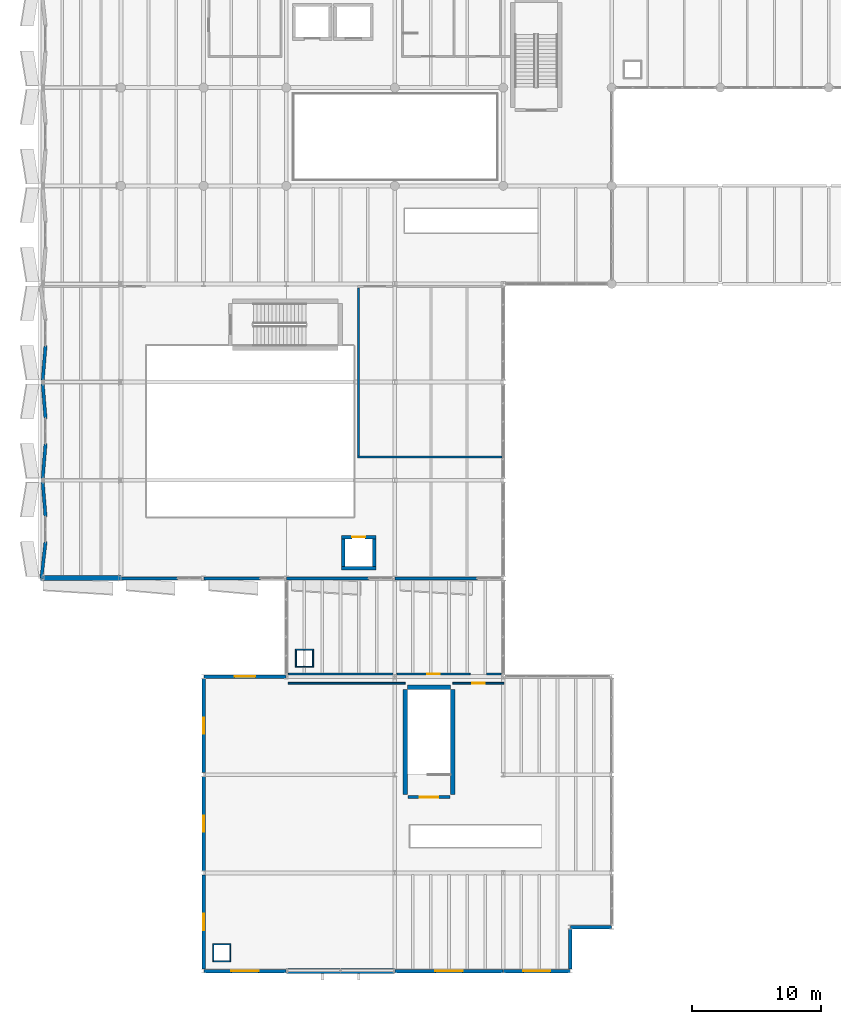
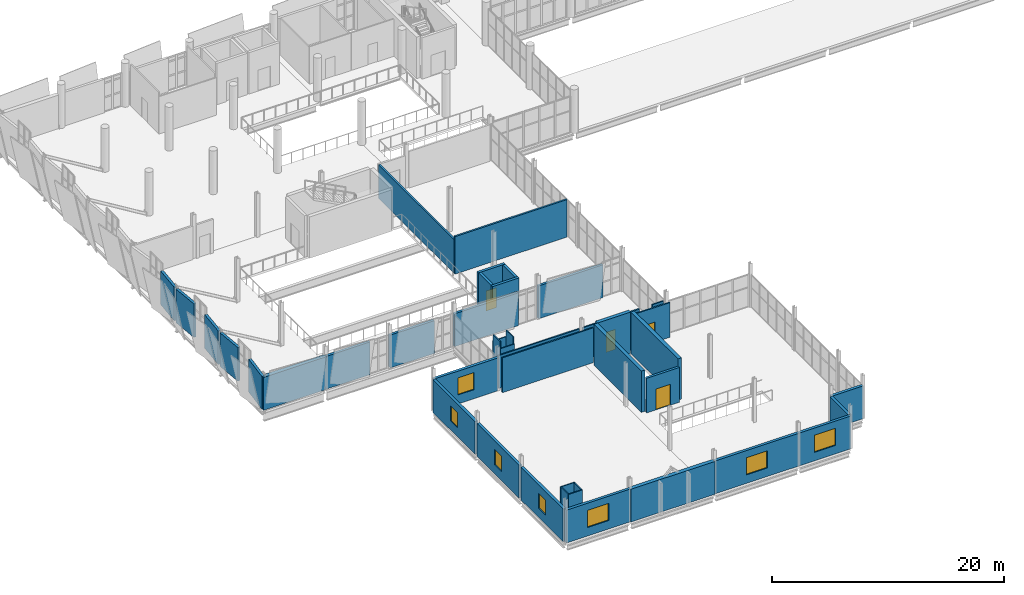
# One storey, part 118 of 136: 43 walls, 7 windows, 4 doors, 11 openings.
"""IFC4 building model written with IfcOpenShell, lengths in metres."""

from ifc_helpers import new_model, si_unit, direction, frame, frame_2d, origin, place, context, subcontext, project, spatial, rectangle, extrude, material, layer, layer_set, type_object, element, fill, save


model = new_model("IFC4")

# Units and contexts
model_context = context("Model", 3, precision=1e-05, world=origin(), true_north=direction((0.0, 1.0)))
body_context = subcontext(model_context, "Body", "Model", "MODEL_VIEW")
ifc_project = project(units=[si_unit("LENGTHUNIT", "METRE"), si_unit("AREAUNIT", "SQUARE_METRE"), si_unit("VOLUMEUNIT", "CUBIC_METRE"), si_unit("PLANEANGLEUNIT", "RADIAN"), si_unit("MASSUNIT", "GRAM", prefix="KILO")], contexts=[model_context])

# Site, building, storey
site_placement = place(None, origin())
site = spatial("IfcSite", under=ifc_project, at=site_placement, CompositionType="ELEMENT")
building_placement = place(site_placement, origin())
building = spatial("IfcBuilding", under=site, at=building_placement, Name="Shengluoqiao Park Theatre", CompositionType="ELEMENT")
storey_placement = place(building_placement, frame((0.0, 0.0, 10.0)))
storey = spatial("IfcBuildingStorey", under=building, at=storey_placement, Name="L02", CompositionType="ELEMENT", Elevation=10.0)

# Wall, opening, window
ifc_material_1 = material(Name="Concrete C40", Category="concrete")
ifc_layer_1 = layer(ifc_material_1, 0.27001953125, Name="Concrete C40")
ifc_layer_set_1 = layer_set([ifc_layer_1], Name="Concrete C40")
wall_type_1 = type_object("IfcWallType", Name="ENV-WL-CONC270", PredefinedType="STANDARD", material=ifc_layer_set_1)
wall_1_placement = place(storey_placement, frame((12.81005859375, 0.0, 0.0), z_axis=(0.0, 0.0, 1.0), x_axis=(1.0, 0.0, 0.0)))
wall_1 = element("IfcWall", 1, at=wall_1_placement, inside=storey, type_object=wall_type_1, Name="L02 Exterior Wall 0151", PredefinedType="STANDARD", context=body_context, shape_type="SweptSolid", body=[
    extrude(rectangle(XDim=6.3798828125, YDim=0.27001953125, at=frame_2d((3.18994140625, 0.0))), origin(), (0.0, 0.0, 1.0), 3.4580078125),
])
opening_1_placement = place(wall_1_placement, frame((2.139892578125, 0.0, 0.89990234375)))
opening_1 = element("IfcOpeningElement", 2, at=opening_1_placement, cuts=wall_1, Name="Opening W-05", PredefinedType="OPENING", context=body_context, shape_type="SweptSolid", body=[
    extrude(rectangle(XDim=2.10009765625, YDim=1.800048828125, at=frame_2d((1.050048828125, 0.89990234375))), frame((0.0, 0.14501953125, 0.0), z_axis=(0.0, -1.0, 0.0), x_axis=(1.0, 0.0, 0.0)), (0.0, 0.0, 1.0), 0.2900390625),
])
ifc_material_2 = material(Name="Insulated glass", Category="glass")
window_type_1 = type_object("IfcWindowType", Name="ENV-WIN-W05", PartitioningType="DOUBLE_PANEL_VERTICAL", PredefinedType="WINDOW", material=ifc_material_2)
window_1_placement = place(opening_1_placement, origin())
window_1 = element("IfcWindow", 3, at=window_1_placement, inside=storey, type_object=window_type_1, Name="L02 Acoustic Window 0011", OverallHeight=1.800048828125, OverallWidth=2.10009765625, PartitioningType="DOUBLE_PANEL_VERTICAL", PredefinedType="WINDOW", context=body_context, shape_type="SweptSolid", body=[
    extrude(rectangle(XDim=2.10009765625, YDim=1.800048828125, at=frame_2d((1.050048828125, 0.89990234375))), frame((0.0, 0.030029296875, 0.0), z_axis=(0.0, -1.0, 0.0), x_axis=(1.0, 0.0, 0.0)), (0.0, 0.0, 1.0), 0.06005859375),
])
fill(opening_1, window_1)

wall_2_placement = place(storey_placement, frame((27.610107421875, 0.0, 0.0), z_axis=(0.0, 0.0, 1.0), x_axis=(1.0, 0.0, 0.0)))
wall_2 = element("IfcWall", 4, at=wall_2_placement, inside=storey, type_object=wall_type_1, Name="L02 Exterior Wall 0153", PredefinedType="STANDARD", context=body_context, shape_type="SweptSolid", body=[
    extrude(rectangle(XDim=8.3798828125, YDim=0.27001953125, at=frame_2d((4.18994140625, 0.0))), origin(), (0.0, 0.0, 1.0), 3.4580078125),
])
opening_2_placement = place(wall_2_placement, frame((3.139892578125, 0.0, 0.89990234375)))
opening_2 = element("IfcOpeningElement", 5, at=opening_2_placement, cuts=wall_2, Name="Opening W-05", PredefinedType="OPENING", context=body_context, shape_type="SweptSolid", body=[
    extrude(rectangle(XDim=2.10009765625, YDim=1.800048828125, at=frame_2d((1.050048828125, 0.89990234375))), frame((0.0, 0.14501953125, 0.0), z_axis=(0.0, -1.0, 0.0), x_axis=(1.0, 0.0, 0.0)), (0.0, 0.0, 1.0), 0.2900390625),
])
window_2_placement = place(opening_2_placement, origin())
window_2 = element("IfcWindow", 6, at=window_2_placement, inside=storey, type_object=window_type_1, Name="L02 Acoustic Window 0012", OverallHeight=1.800048828125, OverallWidth=2.10009765625, PartitioningType="DOUBLE_PANEL_VERTICAL", PredefinedType="WINDOW", context=body_context, shape_type="SweptSolid", body=[
    extrude(rectangle(XDim=2.10009765625, YDim=1.800048828125, at=frame_2d((1.050048828125, 0.89990234375))), frame((0.0, 0.030029296875, 0.0), z_axis=(0.0, -1.0, 0.0), x_axis=(1.0, 0.0, 0.0)), (0.0, 0.0, 1.0), 0.06005859375),
])
fill(opening_2, window_2)

wall_3_placement = place(storey_placement, frame((36.010009765625, 0.0, 0.0), z_axis=(0.0, 0.0, 1.0), x_axis=(1.0, 0.0, 0.0)))
wall_3 = element("IfcWall", 7, at=wall_3_placement, inside=storey, type_object=wall_type_1, Name="L02 Exterior Wall 0154", PredefinedType="STANDARD", context=body_context, shape_type="SweptSolid", body=[
    extrude(rectangle(XDim=5.179931640625, YDim=0.27001953125, at=frame_2d((2.58984375, 0.0))), origin(), (0.0, 0.0, 1.0), 3.4580078125),
])
opening_3_placement = place(wall_3_placement, frame((1.5400390625, 0.0, 0.89990234375)))
opening_3 = element("IfcOpeningElement", 8, at=opening_3_placement, cuts=wall_3, Name="Opening W-05", PredefinedType="OPENING", context=body_context, shape_type="SweptSolid", body=[
    extrude(rectangle(XDim=2.10009765625, YDim=1.800048828125, at=frame_2d((1.050048828125, 0.89990234375))), frame((0.0, 0.14501953125, 0.0), z_axis=(0.0, -1.0, 0.0), x_axis=(1.0, 0.0, 0.0)), (0.0, 0.0, 1.0), 0.2900390625),
])
window_3_placement = place(opening_3_placement, origin())
window_3 = element("IfcWindow", 9, at=window_3_placement, inside=storey, type_object=window_type_1, Name="L02 Acoustic Window 0013", OverallHeight=1.800048828125, OverallWidth=2.10009765625, PartitioningType="DOUBLE_PANEL_VERTICAL", PredefinedType="WINDOW", context=body_context, shape_type="SweptSolid", body=[
    extrude(rectangle(XDim=2.10009765625, YDim=1.800048828125, at=frame_2d((1.050048828125, 0.89990234375))), frame((0.0, 0.030029296875, 0.0), z_axis=(0.0, -1.0, 0.0), x_axis=(1.0, 0.0, 0.0)), (0.0, 0.0, 1.0), 0.06005859375),
])
fill(opening_3, window_3)

wall_4_placement = place(storey_placement, frame((12.800048828125, 0.154052734375, 0.0), z_axis=(0.0, 0.0, 1.0), x_axis=(0.0, 1.0, 0.0)))
wall_4 = element("IfcWall", 10, at=wall_4_placement, inside=storey, type_object=wall_type_1, Name="L02 Exterior Wall 0155", PredefinedType="STANDARD", context=body_context, shape_type="SweptSolid", body=[
    extrude(rectangle(XDim=7.2919921875, YDim=0.27001953125, at=frame_2d((3.64599609375, 0.0))), origin(), (0.0, 0.0, 1.0), 3.4580078125),
])
opening_4_placement = place(wall_4_placement, frame((3.02099609375, 0.0, 0.949951171875)))
opening_4 = element("IfcOpeningElement", 11, at=opening_4_placement, cuts=wall_4, Name="Opening W-07", PredefinedType="OPENING", context=body_context, shape_type="SweptSolid", body=[
    extrude(rectangle(XDim=1.25, YDim=1.60009765625, at=frame_2d((0.625, 0.800048828125))), frame((0.0, 0.14501953125, 0.0), z_axis=(0.0, -1.0, 0.0), x_axis=(1.0, 0.0, 0.0)), (0.0, 0.0, 1.0), 0.2900390625),
])
window_type_2 = type_object("IfcWindowType", Name="ENV-WIN-W07", PartitioningType="SINGLE_PANEL", PredefinedType="WINDOW", material=ifc_material_2)
window_4_placement = place(opening_4_placement, origin())
window_4 = element("IfcWindow", 12, at=window_4_placement, inside=storey, type_object=window_type_2, Name="L02 Acoustic Window 0014", OverallHeight=1.60009765625, OverallWidth=1.25, PartitioningType="SINGLE_PANEL", PredefinedType="WINDOW", context=body_context, shape_type="SweptSolid", body=[
    extrude(rectangle(XDim=1.25, YDim=1.60009765625, at=frame_2d((0.625, 0.800048828125))), frame((0.0, 0.030029296875, 0.0), z_axis=(0.0, -1.0, 0.0), x_axis=(1.0, 0.0, 0.0)), (0.0, 0.0, 1.0), 0.06005859375),
])
fill(opening_4, window_4)

wall_5_placement = place(storey_placement, frame((12.800048828125, 7.75390625, 0.0), z_axis=(0.0, 0.0, 1.0), x_axis=(0.0, 1.0, 0.0)))
wall_5 = element("IfcWall", 13, at=wall_5_placement, inside=storey, type_object=wall_type_1, Name="L02 Exterior Wall 0156", PredefinedType="STANDARD", context=body_context, shape_type="SweptSolid", body=[
    extrude(rectangle(XDim=7.2919921875, YDim=0.27001953125, at=frame_2d((3.64599609375, 0.0))), origin(), (0.0, 0.0, 1.0), 3.4580078125),
])
opening_5_placement = place(wall_5_placement, frame((3.02099609375, 0.0, 0.949951171875)))
opening_5 = element("IfcOpeningElement", 14, at=opening_5_placement, cuts=wall_5, Name="Opening W-07", PredefinedType="OPENING", context=body_context, shape_type="SweptSolid", body=[
    extrude(rectangle(XDim=1.25, YDim=1.60009765625, at=frame_2d((0.625, 0.800048828125))), frame((0.0, 0.14501953125, 0.0), z_axis=(0.0, -1.0, 0.0), x_axis=(1.0, 0.0, 0.0)), (0.0, 0.0, 1.0), 0.2900390625),
])
window_5_placement = place(opening_5_placement, origin())
window_5 = element("IfcWindow", 15, at=window_5_placement, inside=storey, type_object=window_type_2, Name="L02 Acoustic Window 0015", OverallHeight=1.60009765625, OverallWidth=1.25, PartitioningType="SINGLE_PANEL", PredefinedType="WINDOW", context=body_context, shape_type="SweptSolid", body=[
    extrude(rectangle(XDim=1.25, YDim=1.60009765625, at=frame_2d((0.625, 0.800048828125))), frame((0.0, 0.030029296875, 0.0), z_axis=(0.0, -1.0, 0.0), x_axis=(1.0, 0.0, 0.0)), (0.0, 0.0, 1.0), 0.06005859375),
])
fill(opening_5, window_5)

wall_6_placement = place(storey_placement, frame((12.800048828125, 15.35400390625, 0.0), z_axis=(0.0, 0.0, 1.0), x_axis=(0.0, 1.0, 0.0)))
wall_6 = element("IfcWall", 16, at=wall_6_placement, inside=storey, type_object=wall_type_1, Name="L02 Exterior Wall 0157", PredefinedType="STANDARD", context=body_context, shape_type="SweptSolid", body=[
    extrude(rectangle(XDim=7.2919921875, YDim=0.27001953125, at=frame_2d((3.64599609375, 0.0))), origin(), (0.0, 0.0, 1.0), 3.4580078125),
])
opening_6_placement = place(wall_6_placement, frame((3.02099609375, 0.0, 0.949951171875)))
opening_6 = element("IfcOpeningElement", 17, at=opening_6_placement, cuts=wall_6, Name="Opening W-07", PredefinedType="OPENING", context=body_context, shape_type="SweptSolid", body=[
    extrude(rectangle(XDim=1.25, YDim=1.60009765625, at=frame_2d((0.625, 0.800048828125))), frame((0.0, 0.14501953125, 0.0), z_axis=(0.0, -1.0, 0.0), x_axis=(1.0, 0.0, 0.0)), (0.0, 0.0, 1.0), 0.2900390625),
])
window_6_placement = place(opening_6_placement, origin())
window_6 = element("IfcWindow", 18, at=window_6_placement, inside=storey, type_object=window_type_2, Name="L02 Acoustic Window 0016", OverallHeight=1.60009765625, OverallWidth=1.25, PartitioningType="SINGLE_PANEL", PredefinedType="WINDOW", context=body_context, shape_type="SweptSolid", body=[
    extrude(rectangle(XDim=1.25, YDim=1.60009765625, at=frame_2d((0.625, 0.800048828125))), frame((0.0, 0.030029296875, 0.0), z_axis=(0.0, -1.0, 0.0), x_axis=(1.0, 0.0, 0.0)), (0.0, 0.0, 1.0), 0.06005859375),
])
fill(opening_6, window_6)

# Walls
wall_7_placement = place(storey_placement, frame((41.199951171875, 0.154052734375, 0.0), z_axis=(0.0, 0.0, 1.0), x_axis=(0.0, 1.0, 0.0)))
element("IfcWall", 19, at=wall_7_placement, inside=storey, type_object=wall_type_1, Name="L02 Exterior Wall 0158", PredefinedType="STANDARD", context=body_context, shape_type="SweptSolid", body=[
    extrude(rectangle(XDim=3.092041015625, YDim=0.27001953125, at=frame_2d((1.5458984375, 0.0))), origin(), (0.0, 0.0, 1.0), 3.4580078125),
])
wall_8_placement = place(storey_placement, frame((41.2099609375, 3.39990234375, 0.0), z_axis=(0.0, 0.0, 1.0), x_axis=(1.0, 0.0, 0.0)))
element("IfcWall", 20, at=wall_8_placement, inside=storey, type_object=wall_type_1, Name="L02 Exterior Wall 0159", PredefinedType="STANDARD", context=body_context, shape_type="SweptSolid", body=[
    extrude(rectangle(XDim=3.179931640625, YDim=0.27001953125, at=frame_2d((1.58984375, 0.0))), origin(), (0.0, 0.0, 1.0), 3.4580078125),
])

# Wall, opening, window
wall_9_placement = place(storey_placement, frame((12.81005859375, 22.800048828125, 0.0), z_axis=(0.0, 0.0, 1.0), x_axis=(1.0, 0.0, 0.0)))
wall_9 = element("IfcWall", 21, at=wall_9_placement, inside=storey, type_object=wall_type_1, Name="L02 Exterior Wall 0160", PredefinedType="STANDARD", context=body_context, shape_type="SweptSolid", body=[
    extrude(rectangle(XDim=6.3798828125, YDim=0.27001953125, at=frame_2d((3.18994140625, 0.0))), origin(), (0.0, 0.0, 1.0), 3.4580078125),
])
opening_7_placement = place(wall_9_placement, frame((2.389892578125, 0.0, 0.949951171875)))
opening_7 = element("IfcOpeningElement", 22, at=opening_7_placement, cuts=wall_9, Name="Opening W-06", PredefinedType="OPENING", context=body_context, shape_type="SweptSolid", body=[
    extrude(rectangle(XDim=1.60009765625, YDim=1.800048828125, at=frame_2d((0.800048828125, 0.89990234375))), frame((0.0, 0.14501953125, 0.0), z_axis=(0.0, -1.0, 0.0), x_axis=(1.0, 0.0, 0.0)), (0.0, 0.0, 1.0), 0.2900390625),
])
window_type_3 = type_object("IfcWindowType", Name="ENV-WIN-W06", PartitioningType="DOUBLE_PANEL_VERTICAL", PredefinedType="WINDOW", material=ifc_material_2)
window_7_placement = place(opening_7_placement, origin())
window_7 = element("IfcWindow", 23, at=window_7_placement, inside=storey, type_object=window_type_3, Name="L02 Acoustic Window 0017", OverallHeight=1.800048828125, OverallWidth=1.60009765625, PartitioningType="DOUBLE_PANEL_VERTICAL", PredefinedType="WINDOW", context=body_context, shape_type="SweptSolid", body=[
    extrude(rectangle(XDim=1.60009765625, YDim=1.800048828125, at=frame_2d((0.800048828125, 0.89990234375))), frame((0.0, 0.030029296875, 0.0), z_axis=(0.0, -1.0, 0.0), x_axis=(1.0, 0.0, 0.0)), (0.0, 0.0, 1.0), 0.06005859375),
])
fill(opening_7, window_7)

# Walls
ifc_material_3 = material(Name="Concrete C45", Category="concrete")
ifc_layer_2 = layer(ifc_material_3, 0.3798828125, Name="Concrete C45")
ifc_layer_set_2 = layer_set([ifc_layer_2], Name="Concrete C45")
wall_type_2 = type_object("IfcWallType", Name="ENV-WL-CONC380", PredefinedType="STANDARD", material=ifc_layer_set_2)
wall_10_placement = place(storey_placement, frame((0.179931640625, 30.419921875, 0.0), z_axis=(0.0, 0.0, 1.0), x_axis=(1.0, 0.0, 0.0)))
element("IfcWall", 24, at=wall_10_placement, inside=storey, type_object=wall_type_2, Name="L02 Exterior Wall 0096", PredefinedType="STANDARD", context=body_context, shape_type="SweptSolid", body=[
    extrude(rectangle(XDim=6.2099609375, YDim=0.3798828125, at=frame_2d((3.10498046875, 0.0))), origin(), (0.0, 0.0, 1.0), 3.4580078125),
])
wall_11_placement = place(storey_placement, frame((19.2099609375, 0.0, 0.0), z_axis=(0.0, 0.0, 1.0), x_axis=(1.0, 0.0, 0.0)))
element("IfcWall", 25, at=wall_11_placement, inside=storey, type_object=wall_type_2, Name="L02 Exterior Wall 0152", PredefinedType="STANDARD", context=body_context, shape_type="SweptSolid", body=[
    extrude(rectangle(XDim=8.380126953125, YDim=0.3798828125, at=frame_2d((4.18994140625, 0.0))), origin(), (0.0, 0.0, 1.0), 3.4580078125),
])
ifc_material_4 = material(Name="Precast concrete C45", Category="concrete")
ifc_layer_3 = layer(ifc_material_4, 0.25, Name="Precast concrete C45")
ifc_layer_set_3 = layer_set([ifc_layer_3], Name="Precast concrete C45")
wall_type_3 = type_object("IfcWallType", Name="ENV-WL-CRYS250", PredefinedType="STANDARD", material=ifc_layer_set_3)
wall_12_placement = place(storey_placement, frame((6.409912109375, 30.39990234375, 0.0), z_axis=(0.0, 0.0, 1.0), x_axis=(1.0, 0.0, 0.0)))
element("IfcWall", 26, at=wall_12_placement, inside=storey, type_object=wall_type_3, Name="L02 Exterior Wall 0097", PredefinedType="STANDARD", context=body_context, shape_type="SweptSolid", body=[
    extrude(rectangle(XDim=4.412109375, YDim=0.25, at=frame_2d((2.2060546875, 0.0))), origin(), (0.0, 0.0, 1.0), 3.4580078125),
])
wall_13_placement = place(storey_placement, frame((12.81005859375, 30.39990234375, 0.0), z_axis=(0.0, 0.0, 1.0), x_axis=(1.0, 0.0, 0.0)))
element("IfcWall", 27, at=wall_13_placement, inside=storey, type_object=wall_type_3, Name="L02 Exterior Wall 0098", PredefinedType="STANDARD", context=body_context, shape_type="SweptSolid", body=[
    extrude(rectangle(XDim=4.411865234375, YDim=0.25, at=frame_2d((2.2060546875, 0.0))), origin(), (0.0, 0.0, 1.0), 3.4580078125),
])
wall_14_placement = place(storey_placement, frame((19.2099609375, 30.39990234375, 0.0), z_axis=(0.0, 0.0, 1.0), x_axis=(1.0, 0.0, 0.0)))
element("IfcWall", 28, at=wall_14_placement, inside=storey, type_object=wall_type_3, Name="L02 Exterior Wall 0099", PredefinedType="STANDARD", context=body_context, shape_type="SweptSolid", body=[
    extrude(rectangle(XDim=6.412109375, YDim=0.25, at=frame_2d((3.2060546875, 0.0))), origin(), (0.0, 0.0, 1.0), 3.4580078125),
])
wall_15_placement = place(storey_placement, frame((27.610107421875, 30.39990234375, 0.0), z_axis=(0.0, 0.0, 1.0), x_axis=(1.0, 0.0, 0.0)))
element("IfcWall", 29, at=wall_15_placement, inside=storey, type_object=wall_type_3, Name="L02 Exterior Wall 0100", PredefinedType="STANDARD", context=body_context, shape_type="SweptSolid", body=[
    extrude(rectangle(XDim=6.411865234375, YDim=0.25, at=frame_2d((3.2060546875, 0.0))), origin(), (0.0, 0.0, 1.0), 3.4580078125),
])
wall_16_placement = place(storey_placement, frame((0.239990234375, 30.419921875, 0.0), z_axis=(0.0, 0.0, 1.0), x_axis=(0.111987730746, 0.993709589449, 0.0)))
element("IfcWall", 30, at=wall_16_placement, inside=storey, type_object=wall_type_3, Name="L02 Exterior Wall 0338", PredefinedType="STANDARD", context=body_context, shape_type="SweptSolid", body=[
    extrude(rectangle(XDim=2.858154296875, YDim=0.25, at=frame_2d((1.42919921875, 0.0))), origin(), (0.0, 0.0, 1.0), 3.4580078125),
])
for number, where, z_axis, x_axis, name in (
    (31, (0.56005859375, 35.139892578125, 0.0), (0.0, 0.0, 1.0), (-0.080753299301, 0.996734119338, 0.0), "L02 Exterior Wall 0339"),
    (32, (0.340087890625, 38.14501953125, 0.0), (0.0, 0.0, 1.0), (0.080753299301, 0.996734119338, 0.0), "L02 Exterior Wall 0340"),
    (33, (0.56005859375, 42.739990234375, 0.0), (0.0, 0.0, 1.0), (-0.080753299301, 0.996734119338, 0.0), "L02 Exterior Wall 0341"),
):
    element("IfcWall", number, at=place(storey_placement, frame(where, z_axis=z_axis, x_axis=x_axis)), inside=storey, type_object=wall_type_3, Name=name, PredefinedType="STANDARD", context=body_context, shape_type="SweptSolid", body=[
        extrude(rectangle(XDim=2.723876953125, YDim=0.25, at=frame_2d((1.36181640625, 0.0))), origin(), (0.0, 0.0, 1.0), 3.5380859375),
    ])
wall_17_placement = place(storey_placement, frame((0.340087890625, 45.7451171875, 0.0), z_axis=(0.0, 0.0, 1.0), x_axis=(0.080760513926, 0.996733534798, 0.0)))
element("IfcWall", 34, at=wall_17_placement, inside=storey, type_object=wall_type_3, Name="L02 Exterior Wall 0342", PredefinedType="STANDARD", context=body_context, shape_type="SweptSolid", body=[
    extrude(rectangle(XDim=2.7236328125, YDim=0.25, at=frame_2d((1.36181640625, 0.0))), origin(), (0.0, 0.0, 1.0), 3.5380859375),
])
ifc_material_5 = material(Name="Gypsum acoustic stud", Category="gypsum")
ifc_layer_4 = layer(ifc_material_5, 0.175048828125, Name="Gypsum acoustic stud")
ifc_layer_set_4 = layer_set([ifc_layer_4], Name="Gypsum acoustic stud")
wall_type_4 = type_object("IfcWallType", Name="INT-WL-COR175", PredefinedType="PARTITIONING", material=ifc_layer_set_4)
wall_18_placement = place(storey_placement, frame((24.71240234375, 39.800048828125, 0.0), z_axis=(0.0, 0.0, 1.0), x_axis=(1.0, 0.0, 0.0)))
element("IfcWall", 35, at=wall_18_placement, inside=storey, type_object=wall_type_4, Name="Studio East Acoustic Observation Salon Partition S", PredefinedType="PARTITIONING", context=body_context, shape_type="SweptSolid", body=[
    extrude(rectangle(XDim=11.19970703125, YDim=0.175048828125, at=frame_2d((5.599853515625, 0.0))), origin(), (0.0, 0.0, 1.0), 3.947998046875),
])
wall_19_placement = place(storey_placement, frame((24.800048828125, 39.8935546875, 0.0), z_axis=(0.0, 0.0, 1.0), x_axis=(0.0, 1.0, 0.0)))
element("IfcWall", 36, at=wall_19_placement, inside=storey, type_object=wall_type_4, Name="Studio East Acoustic Observation Salon Partition W", PredefinedType="PARTITIONING", context=body_context, shape_type="SweptSolid", body=[
    extrude(rectangle(XDim=13.012939453125, YDim=0.175048828125, at=frame_2d((6.50634765625, 0.0))), origin(), (0.0, 0.0, 1.0), 3.5380859375),
])
ifc_material_6 = material(Name="Gypsum shaftwall", Category="gypsum")
ifc_layer_5 = layer(ifc_material_6, 0.094970703125, Name="Gypsum shaftwall")
ifc_layer_set_5 = layer_set([ifc_layer_5], Name="Gypsum shaftwall")
wall_type_5 = type_object("IfcWallType", Name="INT-WL-RSR095", PredefinedType="PARTITIONING", material=ifc_layer_set_5)
for number, where, z_axis, x_axis, name in (
    (37, (13.5048828125, 0.75, 0.0), (0.0, 0.0, 1.0), (1.0, 0.0, 0.0), "L02 Service Riser Shaftwall 117"),
    (38, (13.5048828125, 2.070068359375, 0.0), (0.0, 0.0, 1.0), (1.0, 0.0, 0.0), "L02 Service Riser Shaftwall 118"),
):
    element("IfcWall", number, at=place(storey_placement, frame(where, z_axis=z_axis, x_axis=x_axis)), inside=storey, type_object=wall_type_5, Name=name, PredefinedType="PARTITIONING", context=body_context, shape_type="SweptSolid", body=[
        extrude(rectangle(XDim=1.41015625, YDim=0.094970703125, at=frame_2d((0.705078125, 0.0))), origin(), (0.0, 0.0, 1.0), 4.360107421875),
    ])
for number, where, z_axis, x_axis, name in (
    (39, (13.550048828125, 0.804931640625, 0.0), (0.0, 0.0, 1.0), (0.0, 1.0, 0.0), "L02 Service Riser Shaftwall 119"),
    (40, (14.8701171875, 0.804931640625, 0.0), (0.0, 0.0, 1.0), (0.0, 1.0, 0.0), "L02 Service Riser Shaftwall 120"),
):
    element("IfcWall", number, at=place(storey_placement, frame(where, z_axis=z_axis, x_axis=x_axis)), inside=storey, type_object=wall_type_5, Name=name, PredefinedType="PARTITIONING", context=body_context, shape_type="SweptSolid", body=[
        extrude(rectangle(XDim=1.2099609375, YDim=0.094970703125, at=frame_2d((0.60498046875, 0.0))), origin(), (0.0, 0.0, 1.0), 4.360107421875),
    ])
for number, where, z_axis, x_axis, name in (
    (41, (19.905029296875, 23.550048828125, 0.0), (0.0, 0.0, 1.0), (1.0, 0.0, 0.0), "L02 Service Riser Shaftwall 121"),
    (42, (19.905029296875, 24.8701171875, 0.0), (0.0, 0.0, 1.0), (1.0, 0.0, 0.0), "L02 Service Riser Shaftwall 122"),
):
    element("IfcWall", number, at=place(storey_placement, frame(where, z_axis=z_axis, x_axis=x_axis)), inside=storey, type_object=wall_type_5, Name=name, PredefinedType="PARTITIONING", context=body_context, shape_type="SweptSolid", body=[
        extrude(rectangle(XDim=1.409912109375, YDim=0.094970703125, at=frame_2d((0.705078125, 0.0))), origin(), (0.0, 0.0, 1.0), 3.657958984375),
    ])
for number, where, z_axis, x_axis, name in (
    (43, (19.949951171875, 23.60498046875, 0.0), (0.0, 0.0, 1.0), (0.0, 1.0, 0.0), "L02 Service Riser Shaftwall 123"),
    (44, (21.27001953125, 23.60498046875, 0.0), (0.0, 0.0, 1.0), (0.0, 1.0, 0.0), "L02 Service Riser Shaftwall 124"),
):
    element("IfcWall", number, at=place(storey_placement, frame(where, z_axis=z_axis, x_axis=x_axis)), inside=storey, type_object=wall_type_5, Name=name, PredefinedType="PARTITIONING", context=body_context, shape_type="SweptSolid", body=[
        extrude(rectangle(XDim=1.2099609375, YDim=0.094970703125, at=frame_2d((0.60498046875, 0.0))), origin(), (0.0, 0.0, 1.0), 4.360107421875),
    ])
ifc_layer_6 = layer(ifc_material_1, 0.260009765625, Name="Concrete C40")
ifc_layer_set_6 = layer_set([ifc_layer_6], Name="Concrete C40")
wall_type_6 = type_object("IfcWallType", Name="INT-WL-SHF260", PredefinedType="STANDARD", material=ifc_layer_set_6)
wall_20_placement = place(storey_placement, frame((23.469970703125, 31.199951171875, 0.0), z_axis=(0.0, 0.0, 1.0), x_axis=(1.0, 0.0, 0.0)))
element("IfcWall", 45, at=wall_20_placement, inside=storey, type_object=wall_type_6, Name="L02 SL1 Lift Shaft Wall South", PredefinedType="STANDARD", context=body_context, shape_type="SweptSolid", body=[
    extrude(rectangle(XDim=2.659912109375, YDim=0.260009765625, at=frame_2d((1.330078125, 0.0))), origin(), (0.0, 0.0, 1.0), 4.360107421875),
])

# Wall, opening, door
wall_21_placement = place(storey_placement, frame((23.469970703125, 33.60009765625, 0.0), z_axis=(0.0, 0.0, 1.0), x_axis=(1.0, 0.0, 0.0)))
wall_21 = element("IfcWall", 46, at=wall_21_placement, inside=storey, type_object=wall_type_6, Name="L02 SL1 Lift Shaft Wall North", PredefinedType="STANDARD", context=body_context, shape_type="SweptSolid", body=[
    extrude(rectangle(XDim=2.659912109375, YDim=0.260009765625, at=frame_2d((1.330078125, 0.0))), origin(), (0.0, 0.0, 1.0), 4.360107421875),
])
opening_8_placement = place(wall_21_placement, frame((0.820068359375, 0.0, 0.0)))
opening_8 = element("IfcOpeningElement", 47, at=opening_8_placement, cuts=wall_21, Name="Opening LD-SL1-L02", PredefinedType="OPENING", context=body_context, shape_type="SweptSolid", body=[
    extrude(rectangle(XDim=1.02001953125, YDim=2.10009765625, at=frame_2d((0.510009765625, 1.050048828125))), frame((0.0, 0.139892578125, 0.0), z_axis=(0.0, -1.0, 0.0), x_axis=(1.0, 0.0, 0.0)), (0.0, 0.0, 1.0), 0.280029296875),
])
ifc_material_7 = material(Name="Stainless steel 304", Category="steel")
door_type_1 = type_object("IfcDoorType", Name="INT-DR-LD102", OperationType="SLIDING_TO_LEFT", PredefinedType="DOOR", material=ifc_material_7)
door_1_placement = place(opening_8_placement, origin())
door_1 = element("IfcDoor", 48, at=door_1_placement, inside=storey, type_object=door_type_1, Name="SL1 Lift Landing Door LD-SL1-L02", OperationType="SLIDING_TO_LEFT", OverallHeight=2.10009765625, OverallWidth=1.02001953125, PredefinedType="DOOR", context=body_context, shape_type="SweptSolid", body=[
    extrude(rectangle(XDim=1.02001953125, YDim=2.10009765625, at=frame_2d((0.510009765625, 1.050048828125))), frame((0.0, 0.02490234375, 0.0), z_axis=(0.0, -1.0, 0.0), x_axis=(1.0, 0.0, 0.0)), (0.0, 0.0, 1.0), 0.050048828125),
])
fill(opening_8, door_1)

# Walls
for number, where, z_axis, x_axis, name in (
    (49, (23.60009765625, 31.3359375, 0.0), (0.0, 0.0, 1.0), (0.0, 1.0, 0.0), "L02 SL1 Lift Shaft Wall West"),
    (50, (26.0, 31.3359375, 0.0), (0.0, 0.0, 1.0), (0.0, 1.0, 0.0), "L02 SL1 Lift Shaft Wall East"),
):
    element("IfcWall", number, at=place(storey_placement, frame(where, z_axis=z_axis, x_axis=x_axis)), inside=storey, type_object=wall_type_6, Name=name, PredefinedType="STANDARD", context=body_context, shape_type="SweptSolid", body=[
        extrude(rectangle(XDim=2.128173828125, YDim=0.260009765625, at=frame_2d((1.06396484375, 0.0))), origin(), (0.0, 0.0, 1.0), 4.360107421875),
    ])

# Wall, opening, door
ifc_material_8 = material(Name="Gypsum board", Category="gypsum")
ifc_layer_7 = layer(ifc_material_8, 0.135009765625, Name="Gypsum board")
ifc_layer_set_7 = layer_set([ifc_layer_7], Name="Gypsum board")
wall_type_7 = type_object("IfcWallType", Name="INT-WL-STD135", PredefinedType="PARTITIONING", material=ifc_layer_set_7)
wall_22_placement = place(storey_placement, frame((32.094970703125, 22.280029296875, 0.0), z_axis=(0.0, 0.0, 1.0), x_axis=(1.0, 0.0, 0.0)))
wall_22 = element("IfcWall", 51, at=wall_22_placement, inside=storey, type_object=wall_type_7, Name="Stage Design Exhibition Gallery Partition N", PredefinedType="PARTITIONING", context=body_context, shape_type="SweptSolid", body=[
    extrude(rectangle(XDim=3.958984375, YDim=0.135009765625, at=frame_2d((1.9794921875, 0.0))), origin(), (0.0, 0.0, 1.0), 3.657958984375),
])
opening_9_placement = place(wall_22_placement, frame((1.50439453125, 0.0, 0.0)))
opening_9 = element("IfcOpeningElement", 52, at=opening_9_placement, cuts=wall_22, Name="Opening D-L02-071", PredefinedType="OPENING", context=body_context, shape_type="SweptSolid", body=[
    extrude(rectangle(XDim=0.949951171875, YDim=2.1201171875, at=frame_2d((0.47509765625, 1.06005859375))), frame((0.0, 0.077392578125, 0.0), z_axis=(0.0, -1.0, 0.0), x_axis=(1.0, 0.0, 0.0)), (0.0, 0.0, 1.0), 0.155029296875),
])
ifc_material_9 = material(Name="Timber veneer", Category="wood")
door_type_2 = type_object("IfcDoorType", Name="INT-DR-SNG095", OperationType="NOTDEFINED", PredefinedType="DOOR", material=ifc_material_9)
door_2_placement = place(opening_9_placement, origin())
door_2 = element("IfcDoor", 53, at=door_2_placement, inside=storey, type_object=door_type_2, Name="Stage Design Exhibition Gallery Door D-L02-071", OperationType="SINGLE_SWING_LEFT", OverallHeight=2.1201171875, OverallWidth=0.949951171875, PredefinedType="DOOR", context=body_context, shape_type="SweptSolid", body=[
    extrude(rectangle(XDim=0.949951171875, YDim=2.1201171875, at=frame_2d((0.47509765625, 1.06005859375))), frame((0.0, 0.02490234375, 0.0), z_axis=(0.0, -1.0, 0.0), x_axis=(1.0, 0.0, 0.0)), (0.0, 0.0, 1.0), 0.050048828125),
])
fill(opening_9, door_2)

# Wall
wall_23_placement = place(storey_placement, frame((19.344970703125, 22.280029296875, 0.0), z_axis=(0.0, 0.0, 1.0), x_axis=(1.0, 0.0, 0.0)))
element("IfcWall", 54, at=wall_23_placement, inside=storey, type_object=wall_type_7, Name="Stage Design Exhibition Gallery Partition N", PredefinedType="PARTITIONING", context=body_context, shape_type="SweptSolid", body=[
    extrude(rectangle(XDim=9.06005859375, YDim=0.135009765625, at=frame_2d((4.530029296875, 0.0))), origin(), (0.0, 0.0, 1.0), 3.669921875),
])

# Wall, opening, door
wall_24_placement = place(storey_placement, frame((27.756103515625, 23.0, 0.0), z_axis=(0.0, 0.0, 1.0), x_axis=(1.0, 0.0, 0.0)))
wall_24 = element("IfcWall", 55, at=wall_24_placement, inside=storey, type_object=wall_type_7, Name="Park-Court Sculpture Gallery Partition S", PredefinedType="PARTITIONING", context=body_context, shape_type="SweptSolid", body=[
    extrude(rectangle(XDim=5.683349609375, YDim=0.135009765625, at=frame_2d((2.841796875, 0.0))), origin(), (0.0, 0.0, 1.0), 3.4580078125),
])
opening_10_placement = place(wall_24_placement, frame((2.36669921875, 0.0, 0.0)))
opening_10 = element("IfcOpeningElement", 56, at=opening_10_placement, cuts=wall_24, Name="Opening D-L02-072", PredefinedType="OPENING", context=body_context, shape_type="SweptSolid", body=[
    extrude(rectangle(XDim=0.949951171875, YDim=2.1201171875, at=frame_2d((0.47509765625, 1.06005859375))), frame((0.0, 0.077392578125, 0.0), z_axis=(0.0, -1.0, 0.0), x_axis=(1.0, 0.0, 0.0)), (0.0, 0.0, 1.0), 0.155029296875),
])
door_3_placement = place(opening_10_placement, origin())
door_3 = element("IfcDoor", 57, at=door_3_placement, inside=storey, type_object=door_type_2, Name="Park-Court Sculpture Gallery Door D-L02-072", OperationType="SINGLE_SWING_RIGHT", OverallHeight=2.1201171875, OverallWidth=0.949951171875, PredefinedType="DOOR", context=body_context, shape_type="SweptSolid", body=[
    extrude(rectangle(XDim=0.949951171875, YDim=2.1201171875, at=frame_2d((0.47509765625, 1.06005859375))), frame((0.0, 0.02490234375, 0.0), z_axis=(0.0, -1.0, 0.0), x_axis=(1.0, 0.0, 0.0)), (0.0, 0.0, 1.0), 0.050048828125),
])
fill(opening_10, door_3)

# Walls
wall_25_placement = place(storey_placement, frame((34.70947265625, 23.0, 0.0), z_axis=(0.0, 0.0, 1.0), x_axis=(1.0, 0.0, 0.0)))
element("IfcWall", 58, at=wall_25_placement, inside=storey, type_object=wall_type_7, Name="Park-Court Sculpture Gallery Partition S", PredefinedType="PARTITIONING", context=body_context, shape_type="SweptSolid", body=[
    extrude(rectangle(XDim=1.132568359375, YDim=0.135009765625, at=frame_2d((0.56640625, 0.0))), origin(), (0.0, 0.0, 1.0), 3.4580078125),
])
wall_26_placement = place(storey_placement, frame((19.35791015625, 23.0, 0.0), z_axis=(0.0, 0.0, 1.0), x_axis=(1.0, 0.0, 0.0)))
element("IfcWall", 59, at=wall_26_placement, inside=storey, type_object=wall_type_7, Name="Park-Court Sculpture Gallery Partition S", PredefinedType="PARTITIONING", context=body_context, shape_type="SweptSolid", body=[
    extrude(rectangle(XDim=8.086181640625, YDim=0.135009765625, at=frame_2d((4.04296875, 0.0))), origin(), (0.0, 0.0, 1.0), 3.4580078125),
])

# Wall, opening, door
ifc_layer_8 = layer(ifc_material_1, 0.239990234375, Name="Concrete C40")
ifc_layer_set_8 = layer_set([ifc_layer_8], Name="Concrete C40")
wall_type_8 = type_object("IfcWallType", Name="INT-WL-STW240", PredefinedType="STANDARD", material=ifc_layer_set_8)
wall_27_placement = place(storey_placement, frame((31.889892578125, 13.4599609375, 0.0), z_axis=(0.0, 0.0, 1.0), x_axis=(-1.0, 0.0, 0.0)))
wall_27 = element("IfcWall", 60, at=wall_27_placement, inside=storey, type_object=wall_type_8, Name="L02 ST-04 Stairwell Fire Wall", PredefinedType="STANDARD", context=body_context, shape_type="SweptSolid", body=[
    extrude(rectangle(XDim=3.27978515625, YDim=0.239990234375, at=frame_2d((1.639892578125, 0.0))), origin(), (0.0, 0.0, 1.0), 3.657958984375),
])
opening_11_placement = place(wall_27_placement, frame((0.9150390625, 0.0, 0.0)))
opening_11 = element("IfcOpeningElement", 61, at=opening_11_placement, cuts=wall_27, Name="Opening SD-04-L02", PredefinedType="OPENING", context=body_context, shape_type="SweptSolid", body=[
    extrude(rectangle(XDim=1.449951171875, YDim=2.199951171875, at=frame_2d((0.72509765625, 1.10009765625))), frame((0.0, 0.1298828125, 0.0), z_axis=(0.0, -1.0, 0.0), x_axis=(1.0, 0.0, 0.0)), (0.0, 0.0, 1.0), 0.260009765625),
])
ifc_material_10 = material(Name="Steel Q355", Category="steel")
door_type_3 = type_object("IfcDoorType", Name="INT-DR-STW145", OperationType="DOUBLE_DOOR_SINGLE_SWING", PredefinedType="DOOR", material=ifc_material_10)
door_4_placement = place(opening_11_placement, origin())
door_4 = element("IfcDoor", 62, at=door_4_placement, inside=storey, type_object=door_type_3, Name="L02 ST-04 Escape Stair Door SD-04-L02", OperationType="DOUBLE_DOOR_SINGLE_SWING", OverallHeight=2.199951171875, OverallWidth=1.449951171875, PredefinedType="DOOR", context=body_context, shape_type="SweptSolid", body=[
    extrude(rectangle(XDim=1.449951171875, YDim=2.199951171875, at=frame_2d((0.72509765625, 1.10009765625))), frame((0.0, 0.02490234375, 0.0), z_axis=(0.0, -1.0, 0.0), x_axis=(1.0, 0.0, 0.0)), (0.0, 0.0, 1.0), 0.050048828125),
])
fill(opening_11, door_4)

# Walls
ifc_material_11 = material(Name="Concrete C50", Category="concrete")
ifc_layer_9 = layer(ifc_material_11, 0.35009765625, Name="Concrete C50")
ifc_layer_set_9 = layer_set([ifc_layer_9], Name="Concrete C50")
wall_type_9 = type_object("IfcWallType", Name="STR-SW-CORE350", PredefinedType="SHEAR", material=ifc_layer_set_9)
wall_28_placement = place(storey_placement, frame((32.080078125, 13.64990234375, 0.0), z_axis=(0.0, 0.0, 1.0), x_axis=(0.0, 1.0, 0.0)))
element("IfcWall", 63, at=wall_28_placement, inside=storey, type_object=wall_type_9, Name="L02 ST-04 Core Left Shear Wall 0082", PredefinedType="SHEAR", context=body_context, shape_type="SweptSolid", body=[
    extrude(rectangle(XDim=8.150146484375, YDim=0.35009765625, at=frame_2d((4.0751953125, 0.0))), origin(), (0.0, 0.0, 1.0), 4.360107421875),
])
wall_29_placement = place(storey_placement, frame((31.89990234375, 21.97998046875, 0.0), z_axis=(0.0, 0.0, 1.0), x_axis=(-1.0, 0.0, 0.0)))
element("IfcWall", 64, at=wall_29_placement, inside=storey, type_object=wall_type_9, Name="L02 ST-04 Core Far Shear Wall 0083", PredefinedType="SHEAR", context=body_context, shape_type="SweptSolid", body=[
    extrude(rectangle(XDim=3.2998046875, YDim=0.35009765625, at=frame_2d((1.64990234375, 0.0))), origin(), (0.0, 0.0, 1.0), 4.360107421875),
])
wall_30_placement = place(storey_placement, frame((28.419921875, 21.800048828125, 0.0), z_axis=(0.0, 0.0, 1.0), x_axis=(0.0, -1.0, 0.0)))
element("IfcWall", 65, at=wall_30_placement, inside=storey, type_object=wall_type_9, Name="L02 ST-04 Core Right Shear Wall 0084", PredefinedType="SHEAR", context=body_context, shape_type="SweptSolid", body=[
    extrude(rectangle(XDim=8.150146484375, YDim=0.35009765625, at=frame_2d((4.0751953125, 0.0))), origin(), (0.0, 0.0, 1.0), 4.360107421875),
])

save(model, "model.ifc")
